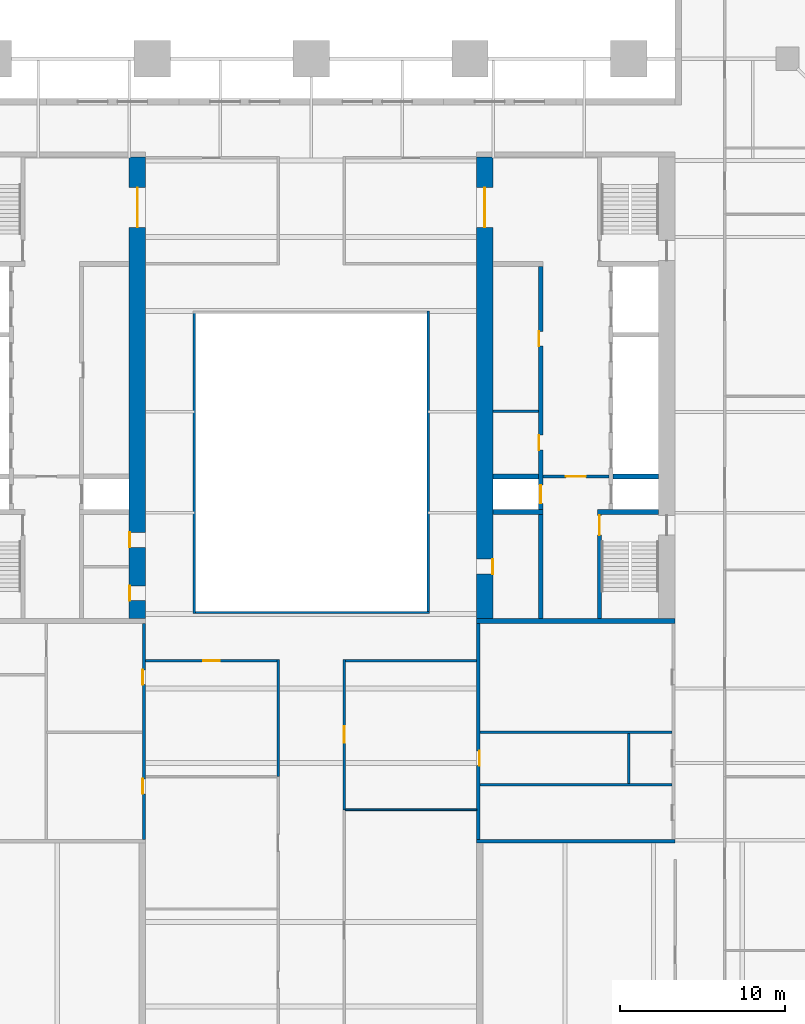
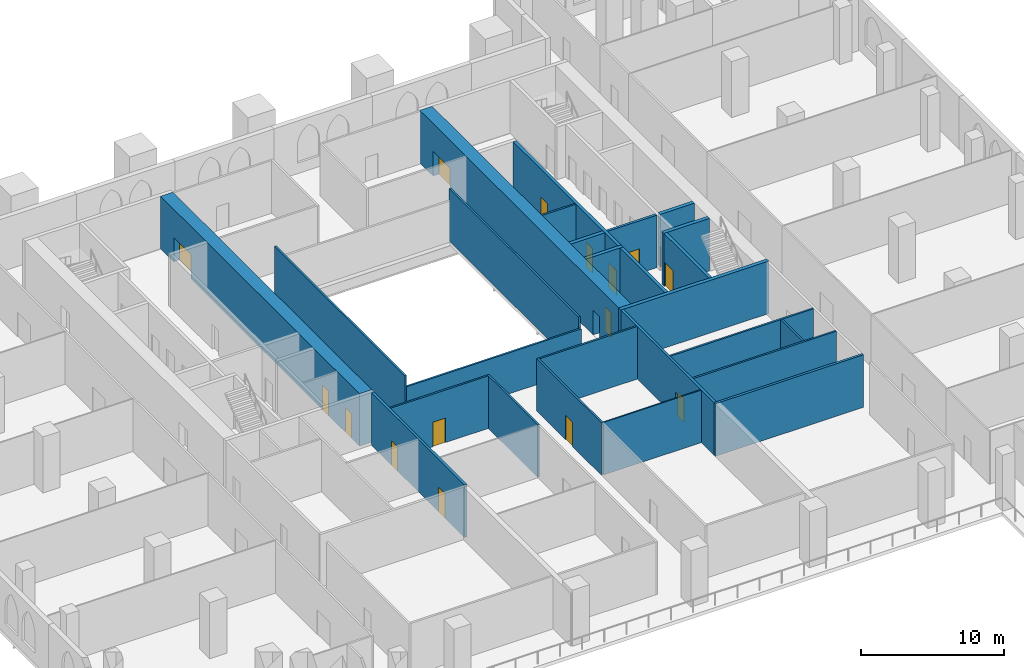
# One storey, part 11 of 19: 25 walls, 15 doors, 15 openings.
"""IFC4 building model written with IfcOpenShell, lengths in metres."""

from ifc_helpers import new_model, si_unit, direction, frame, frame_2d, origin, place, context, subcontext, project, spatial, rectangle, extrude, material, layer, layer_set, type_object, element, fill, save


model = new_model("IFC4")

# Units and contexts
model_context = context("Model", 3, precision=1e-05, world=origin(), true_north=direction((0.0, 1.0)))
body_context = subcontext(model_context, "Body", "Model", "MODEL_VIEW")
ifc_project = project(units=[si_unit("LENGTHUNIT", "METRE"), si_unit("AREAUNIT", "SQUARE_METRE"), si_unit("VOLUMEUNIT", "CUBIC_METRE"), si_unit("PLANEANGLEUNIT", "RADIAN"), si_unit("MASSUNIT", "GRAM", prefix="KILO")], contexts=[model_context])

# Site, building, storey
site_placement = place(None, origin())
site = spatial("IfcSite", under=ifc_project, at=site_placement, CompositionType="ELEMENT")
building_placement = place(site_placement, origin())
building = spatial("IfcBuilding", under=site, at=building_placement, Name="Ogive Exchange Tower", CompositionType="ELEMENT")
storey_placement = place(building_placement, frame((0.0, 0.0, 24.0)))
storey = spatial("IfcBuildingStorey", under=building, at=storey_placement, Name="L04", CompositionType="ELEMENT", Elevation=24.0)

# Walls
ifc_material_1 = material(Name="Gypsum board partition")
ifc_layer_1 = layer(ifc_material_1, 0.14990234375)
ifc_layer_set_1 = layer_set([ifc_layer_1], Name="Core room partition 150 gypsum")
wall_type_1 = type_object("IfcWallType", Name="Core room partition 150 gypsum", PredefinedType="PARTITIONING", material=ifc_layer_set_1)
wall_1_placement = place(storey_placement, frame((11.0, 10.10009765625, 0.0), z_axis=(0.0, 0.0, 1.0), x_axis=(1.0, 0.0, 0.0)))
element("IfcWall", 1, at=wall_1_placement, inside=storey, type_object=wall_type_1, Name="E row B bay partition 1-1", PredefinedType="PARTITIONING", context=body_context, shape_type="SweptSolid", body=[
    extrude(rectangle(XDim=2.75, YDim=0.14990234375, at=frame_2d((1.375, 0.0))), origin(), (0.0, 0.0, 1.0), 4.5),
])
for number, where, z_axis, x_axis, name in (
    (2, (10.199951171875, -9.300048828125, 0.0), (0.0, 0.0, 1.0), (1.0, 0.0, 0.0), "E annex S cross wall"),
    (3, (10.199951171875, -12.47509765625, 0.0), (0.0, 0.0, 1.0), (1.0, 0.0, 0.0), "E annex S wc strip wall 00"),
):
    element("IfcWall", number, at=place(storey_placement, frame(where, z_axis=z_axis, x_axis=x_axis)), inside=storey, type_object=wall_type_1, Name=name, PredefinedType="PARTITIONING", context=body_context, shape_type="SweptSolid", body=[
        extrude(rectangle(XDim=11.60009765625, YDim=0.14990234375, at=frame_2d((5.800048828125, 0.0))), origin(), (0.0, 0.0, 1.0), 4.5),
    ])
wall_2_placement = place(storey_placement, frame((19.199951171875, -12.39990234375, 0.0), z_axis=(0.0, 0.0, 1.0), x_axis=(0.0, 1.0, 0.0)))
element("IfcWall", 4, at=wall_2_placement, inside=storey, type_object=wall_type_1, Name="E annex S wc partition 00", PredefinedType="PARTITIONING", context=body_context, shape_type="SweptSolid", body=[
    extrude(rectangle(XDim=3.02490234375, YDim=0.14990234375, at=frame_2d((1.512451171875, 0.0))), origin(), (0.0, 0.0, 1.0), 4.5),
])

# Wall, opening, door
ifc_material_2 = material(Name="Fire partition EI 60 150")
ifc_layer_2 = layer(ifc_material_2, 0.14990234375)
ifc_layer_set_2 = layer_set([ifc_layer_2], Name="Fire partition EI 60 150")
wall_type_2 = type_object("IfcWallType", Name="Fire partition EI 60 150", PredefinedType="PARTITIONING", material=ifc_layer_set_2)
wall_3_placement = place(storey_placement, frame((-10.0, -5.0, 0.0), z_axis=(0.0, 0.0, 1.0), x_axis=(1.0, 0.0, 0.0)))
wall_3 = element("IfcWall", 5, at=wall_3_placement, inside=storey, type_object=wall_type_2, Name="L04-PWL-023", PredefinedType="PARTITIONING", context=body_context, shape_type="SweptSolid", body=[
    extrude(rectangle(XDim=7.925048828125, YDim=0.14990234375, at=frame_2d((3.96240234375, 0.0))), origin(), (0.0, 0.0, 1.0), 4.5),
])
opening_1_placement = place(wall_3_placement, frame((3.46240234375, 0.0, 0.0)))
opening_1 = element("IfcOpeningElement", 6, at=opening_1_placement, cuts=wall_3, Name="Opening L04-I22", PredefinedType="OPENING", context=body_context, shape_type="SweptSolid", body=[
    extrude(rectangle(XDim=1.0, YDim=2.10009765625, at=frame_2d((0.5, 1.050048828125))), frame((0.0, 0.0849609375, 0.0), z_axis=(0.0, -1.0, 0.0), x_axis=(1.0, 0.0, 0.0)), (0.0, 0.0, 1.0), 0.169921875),
])
ifc_material_3 = material(Name="Fire door FD 30S 1000 x 2100")
door_type_1 = type_object("IfcDoorType", Name="Fire door FD 30S 1000 x 2100", OperationType="NOTDEFINED", PredefinedType="DOOR", material=ifc_material_3)
door_1_placement = place(opening_1_placement, frame((1.0, 0.0, 0.0), z_axis=(0.0, 0.0, 1.0), x_axis=(-1.0, 0.0, 0.0)))
door_1 = element("IfcDoor", 7, at=door_1_placement, inside=storey, type_object=door_type_1, Name="L04-IDR-022", ObjectType="DT3", OperationType="SINGLE_SWING_RIGHT", OverallHeight=2.10009765625, OverallWidth=1.0, PredefinedType="DOOR", context=body_context, shape_type="SweptSolid", body=[
    extrude(rectangle(XDim=1.0, YDim=2.10009765625, at=frame_2d((0.5, 1.050048828125))), frame((0.0, 0.02490234375, 0.0), z_axis=(0.0, -1.0, 0.0), x_axis=(1.0, 0.0, 0.0)), (0.0, 0.0, 1.0), 0.050048828125),
])
fill(opening_1, door_1)

# Walls
wall_4_placement = place(storey_placement, frame((2.074951171875, -5.0, 0.0), z_axis=(0.0, 0.0, 1.0), x_axis=(1.0, 0.0, 0.0)))
element("IfcWall", 8, at=wall_4_placement, inside=storey, type_object=wall_type_2, Name="L04-PWL-024", PredefinedType="PARTITIONING", context=body_context, shape_type="SweptSolid", body=[
    extrude(rectangle(XDim=7.925048828125, YDim=0.14990234375, at=frame_2d((3.96240234375, 0.0))), origin(), (0.0, 0.0, 1.0), 4.5),
])
wall_5_placement = place(storey_placement, frame((-2.0, -12.0, 0.0), z_axis=(0.0, 0.0, 1.0), x_axis=(0.0, 1.0, 0.0)))
element("IfcWall", 9, at=wall_5_placement, inside=storey, type_object=wall_type_2, Name="L04-PWL-053", PredefinedType="PARTITIONING", context=body_context, shape_type="SweptSolid", body=[
    extrude(rectangle(XDim=7.074951171875, YDim=0.14990234375, at=frame_2d((3.53759765625, 0.0))), origin(), (0.0, 0.0, 1.0), 4.5),
])

# Wall, opening, door
wall_6_placement = place(storey_placement, frame((2.0, -14.0, 0.0), z_axis=(0.0, 0.0, 1.0), x_axis=(0.0, 1.0, 0.0)))
wall_6 = element("IfcWall", 10, at=wall_6_placement, inside=storey, type_object=wall_type_2, Name="L04-PWL-056", PredefinedType="PARTITIONING", context=body_context, shape_type="SweptSolid", body=[
    extrude(rectangle(XDim=9.074951171875, YDim=0.14990234375, at=frame_2d((4.53759765625, 0.0))), origin(), (0.0, 0.0, 1.0), 4.5),
])
opening_2_placement = place(wall_6_placement, frame((4.03759765625, 0.0, 0.0)))
opening_2 = element("IfcOpeningElement", 11, at=opening_2_placement, cuts=wall_6, Name="Opening L04-I24", PredefinedType="OPENING", context=body_context, shape_type="SweptSolid", body=[
    extrude(rectangle(XDim=1.0, YDim=2.10009765625, at=frame_2d((0.5, 1.050048828125))), frame((0.0, 0.0849609375, 0.0), z_axis=(0.0, -1.0, 0.0), x_axis=(1.0, 0.0, 0.0)), (0.0, 0.0, 1.0), 0.169921875),
])
door_2_placement = place(opening_2_placement, frame((1.0, 0.0, 0.0), z_axis=(0.0, 0.0, 1.0), x_axis=(-1.0, 0.0, 0.0)))
door_2 = element("IfcDoor", 12, at=door_2_placement, inside=storey, type_object=door_type_1, Name="L04-IDR-024", ObjectType="DT3", OperationType="SINGLE_SWING_LEFT", OverallHeight=2.10009765625, OverallWidth=1.0, PredefinedType="DOOR", context=body_context, shape_type="SweptSolid", body=[
    extrude(rectangle(XDim=1.0, YDim=2.10009765625, at=frame_2d((0.5, 1.050048828125))), frame((0.0, 0.02490234375, 0.0), z_axis=(0.0, -1.0, 0.0), x_axis=(1.0, 0.0, 0.0)), (0.0, 0.0, 1.0), 0.050048828125),
])
fill(opening_2, door_2)

# Walls
ifc_material_4 = material(Name="Fire-resisting glass in steel frame", Category="steel")
ifc_layer_3 = layer(ifc_material_4, 0.14990234375)
ifc_layer_set_3 = layer_set([ifc_layer_3], Name="Fire-rated glazed wall 150")
wall_type_3 = type_object("IfcWallType", Name="Fire-rated glazed wall 150", PredefinedType="STANDARD", material=ifc_layer_set_3)
wall_7_placement = place(storey_placement, frame((-7.074951171875, -2.14990234375, 0.0), z_axis=(0.0, 0.0, 1.0), x_axis=(0.0, 1.0, 0.0)))
element("IfcWall", 13, at=wall_7_placement, inside=storey, type_object=wall_type_3, Name="Nave enclosure wall 1", PredefinedType="STANDARD", context=body_context, shape_type="SweptSolid", body=[
    extrude(rectangle(XDim=18.2998046875, YDim=0.14990234375, at=frame_2d((9.14990234375, 0.0))), origin(), (0.0, 0.0, 1.0), 4.5),
])
wall_8_placement = place(storey_placement, frame((7.074951171875, 16.14990234375, 0.0), z_axis=(0.0, 0.0, 1.0), x_axis=(0.0, -1.0, 0.0)))
element("IfcWall", 14, at=wall_8_placement, inside=storey, type_object=wall_type_3, Name="Nave enclosure wall 3", PredefinedType="STANDARD", context=body_context, shape_type="SweptSolid", body=[
    extrude(rectangle(XDim=18.14990234375, YDim=0.14990234375, at=frame_2d((9.074951171875, 0.0))), origin(), (0.0, 0.0, 1.0), 4.5),
])
wall_9_placement = place(storey_placement, frame((7.14990234375, -2.074951171875, 0.0), z_axis=(0.0, 0.0, 1.0), x_axis=(-1.0, 0.0, 0.0)))
element("IfcWall", 15, at=wall_9_placement, inside=storey, type_object=wall_type_3, Name="Nave enclosure wall 4", PredefinedType="STANDARD", context=body_context, shape_type="SweptSolid", body=[
    extrude(rectangle(XDim=14.14990234375, YDim=0.14990234375, at=frame_2d((7.074951171875, 0.0))), origin(), (0.0, 0.0, 1.0), 3.52001953125),
])
ifc_material_5 = material(Name="Partition 100 gypsum")
ifc_layer_4 = layer(ifc_material_5, 0.10009765625)
ifc_layer_set_4 = layer_set([ifc_layer_4], Name="Partition 100 gypsum")
wall_type_4 = type_object("IfcWallType", Name="Partition 100 gypsum", PredefinedType="PARTITIONING", material=ifc_layer_set_4)
wall_10_placement = place(storey_placement, frame((2.074951171875, -14.0, 0.0), z_axis=(0.0, 0.0, 1.0), x_axis=(1.0, 0.0, 0.0)))
element("IfcWall", 16, at=wall_10_placement, inside=storey, type_object=wall_type_4, Name="L04-PWL-019", PredefinedType="PARTITIONING", context=body_context, shape_type="SweptSolid", body=[
    extrude(rectangle(XDim=7.925048828125, YDim=0.10009765625, at=frame_2d((3.96240234375, 0.0))), origin(), (0.0, 0.0, 1.0), 4.5),
])

# Wall, openings, doors
ifc_material_6 = material(Name="Concrete C70/85", Category="concrete")
ifc_layer_5 = layer(ifc_material_6, 1.0)
ifc_layer_set_5 = layer_set([ifc_layer_5], Name="RC core wall 1000 C70/85")
wall_type_5 = type_object("IfcWallType", Name="RC core wall 1000 C70/85", PredefinedType="SHEAR", material=ifc_layer_set_5)
wall_11_placement = place(storey_placement, frame((-10.5, -2.449951171875, 0.0), z_axis=(0.0, 0.0, 1.0), x_axis=(0.0, 1.0, 0.0)))
wall_11 = element("IfcWall", 17, at=wall_11_placement, inside=storey, type_object=wall_type_5, Name="W inner wall", PredefinedType="SHEAR", context=body_context, shape_type="SweptSolid", body=[
    extrude(rectangle(XDim=27.89990234375, YDim=1.0, at=frame_2d((13.949951171875, 0.0))), origin(), (0.0, 0.0, 1.0), 4.5),
])
opening_3_placement = place(wall_11_placement, frame((23.64990234375, 0.0, 0.0)))
opening_3 = element("IfcOpeningElement", 18, at=opening_3_placement, cuts=wall_11, Name="Opening L04-C11", PredefinedType="OPENING", context=body_context, shape_type="SweptSolid", body=[
    extrude(rectangle(XDim=2.39990234375, YDim=2.10009765625, at=frame_2d((1.199951171875, 1.050048828125))), frame((0.0, 0.510009765625, 0.0), z_axis=(0.0, -1.0, 0.0), x_axis=(1.0, 0.0, 0.0)), (0.0, 0.0, 1.0), 1.02001953125),
])
opening_4_placement = place(wall_11_placement, frame((1.08740234375, 0.0, 0.0)))
opening_4 = element("IfcOpeningElement", 19, at=opening_4_placement, cuts=wall_11, Name="Opening L04-C16", PredefinedType="OPENING", context=body_context, shape_type="SweptSolid", body=[
    extrude(rectangle(XDim=0.89990234375, YDim=2.10009765625, at=frame_2d((0.449951171875, 1.050048828125))), frame((0.0, 0.510009765625, 0.0), z_axis=(0.0, -1.0, 0.0), x_axis=(1.0, 0.0, 0.0)), (0.0, 0.0, 1.0), 1.02001953125),
])
opening_5_placement = place(wall_11_placement, frame((4.3125, 0.0, 0.0)))
opening_5 = element("IfcOpeningElement", 20, at=opening_5_placement, cuts=wall_11, Name="Opening L04-C17", PredefinedType="OPENING", context=body_context, shape_type="SweptSolid", body=[
    extrude(rectangle(XDim=0.89990234375, YDim=2.10009765625, at=frame_2d((0.449951171875, 1.050048828125))), frame((0.0, 0.510009765625, 0.0), z_axis=(0.0, -1.0, 0.0), x_axis=(1.0, 0.0, 0.0)), (0.0, 0.0, 1.0), 1.02001953125),
])
ifc_material_7 = material(Name="Timber fire door", Category="wood")
door_type_2 = type_object("IfcDoorType", Name="Core room door FD30S 900 x 2100", OperationType="NOTDEFINED", PredefinedType="DOOR", material=ifc_material_7)
door_3_placement = place(opening_4_placement, origin())
door_3 = element("IfcDoor", 21, at=door_3_placement, inside=storey, type_object=door_type_2, Name="Core room door", ObjectType="CD6", OperationType="SINGLE_SWING_LEFT", OverallHeight=2.10009765625, OverallWidth=0.89990234375, PredefinedType="DOOR", context=body_context, shape_type="SweptSolid", body=[
    extrude(rectangle(XDim=0.89990234375, YDim=2.10009765625, at=frame_2d((0.449951171875, 1.050048828125))), frame((0.0, 0.5, 0.0), z_axis=(0.0, -1.0, 0.0), x_axis=(1.0, 0.0, 0.0)), (0.0, 0.0, 1.0), 0.050048828125),
])
fill(opening_4, door_3)
door_4_placement = place(opening_5_placement, origin())
door_4 = element("IfcDoor", 22, at=door_4_placement, inside=storey, type_object=door_type_2, Name="Core room door", ObjectType="CD6", OperationType="SINGLE_SWING_LEFT", OverallHeight=2.10009765625, OverallWidth=0.89990234375, PredefinedType="DOOR", context=body_context, shape_type="SweptSolid", body=[
    extrude(rectangle(XDim=0.89990234375, YDim=2.10009765625, at=frame_2d((0.449951171875, 1.050048828125))), frame((0.0, 0.5, 0.0), z_axis=(0.0, -1.0, 0.0), x_axis=(1.0, 0.0, 0.0)), (0.0, 0.0, 1.0), 0.050048828125),
])
fill(opening_5, door_4)
ifc_material_8 = material(Name="Glazed steel fire door", Category="steel")
door_type_3 = type_object("IfcDoorType", Name="Lift lobby double door FD60 2400 x 2100", OperationType="DOUBLE_DOOR_SINGLE_SWING", PredefinedType="DOOR", material=ifc_material_8)
door_5_placement = place(opening_3_placement, frame((2.39990234375, 0.0, 0.0), z_axis=(0.0, 0.0, 1.0), x_axis=(-1.0, 0.0, 0.0)))
door_5 = element("IfcDoor", 23, at=door_5_placement, inside=storey, type_object=door_type_3, Name="Lift lobby double door", ObjectType="CD4", OperationType="DOUBLE_DOOR_SINGLE_SWING", OverallHeight=2.10009765625, OverallWidth=2.39990234375, PredefinedType="DOOR", context=body_context, shape_type="SweptSolid", body=[
    extrude(rectangle(XDim=2.39990234375, YDim=2.10009765625, at=frame_2d((1.199951171875, 1.050048828125))), frame((0.0, 0.02490234375, 0.0), z_axis=(0.0, -1.0, 0.0), x_axis=(1.0, 0.0, 0.0)), (0.0, 0.0, 1.0), 0.050048828125),
])
fill(opening_3, door_5)

wall_12_placement = place(storey_placement, frame((10.5, -2.449951171875, 0.0), z_axis=(0.0, 0.0, 1.0), x_axis=(0.0, 1.0, 0.0)))
wall_12 = element("IfcWall", 24, at=wall_12_placement, inside=storey, type_object=wall_type_5, Name="E inner wall", PredefinedType="SHEAR", context=body_context, shape_type="SweptSolid", body=[
    extrude(rectangle(XDim=27.89990234375, YDim=1.0, at=frame_2d((13.949951171875, 0.0))), origin(), (0.0, 0.0, 1.0), 4.5),
])
opening_6_placement = place(wall_12_placement, frame((23.64990234375, 0.0, 0.0)))
opening_6 = element("IfcOpeningElement", 25, at=opening_6_placement, cuts=wall_12, Name="Opening L04-C34", PredefinedType="OPENING", context=body_context, shape_type="SweptSolid", body=[
    extrude(rectangle(XDim=2.39990234375, YDim=2.10009765625, at=frame_2d((1.199951171875, 1.050048828125))), frame((0.0, 0.510009765625, 0.0), z_axis=(0.0, -1.0, 0.0), x_axis=(1.0, 0.0, 0.0)), (0.0, 0.0, 1.0), 1.02001953125),
])
opening_7_placement = place(wall_12_placement, frame((2.699951171875, 0.0, 0.0)))
opening_7 = element("IfcOpeningElement", 26, at=opening_7_placement, cuts=wall_12, Name="Opening L04-C39", PredefinedType="OPENING", context=body_context, shape_type="SweptSolid", body=[
    extrude(rectangle(XDim=0.89990234375, YDim=2.10009765625, at=frame_2d((0.449951171875, 1.050048828125))), frame((0.0, 0.510009765625, 0.0), z_axis=(0.0, -1.0, 0.0), x_axis=(1.0, 0.0, 0.0)), (0.0, 0.0, 1.0), 1.02001953125),
])
door_6_placement = place(opening_7_placement, frame((0.89990234375, -0.9501953125, 0.0), z_axis=(0.0, 0.0, 1.0), x_axis=(-1.0, 0.0, 0.0)))
door_6 = element("IfcDoor", 27, at=door_6_placement, inside=storey, type_object=door_type_2, Name="Core room door", ObjectType="CD6", OperationType="SINGLE_SWING_LEFT", OverallHeight=2.10009765625, OverallWidth=0.89990234375, PredefinedType="DOOR", context=body_context, shape_type="SweptSolid", body=[
    extrude(rectangle(XDim=0.89990234375, YDim=2.10009765625, at=frame_2d((0.449951171875, 1.050048828125))), frame((0.0, -0.4501953125, 0.0), z_axis=(0.0, -1.0, 0.0), x_axis=(1.0, 0.0, 0.0)), (0.0, 0.0, 1.0), 0.050048828125),
])
fill(opening_7, door_6)
door_7_placement = place(opening_6_placement, origin())
door_7 = element("IfcDoor", 28, at=door_7_placement, inside=storey, type_object=door_type_3, Name="Lift lobby double door", ObjectType="CD4", OperationType="DOUBLE_DOOR_SINGLE_SWING", OverallHeight=2.10009765625, OverallWidth=2.39990234375, PredefinedType="DOOR", context=body_context, shape_type="SweptSolid", body=[
    extrude(rectangle(XDim=2.39990234375, YDim=2.10009765625, at=frame_2d((1.199951171875, 1.050048828125))), frame((0.0, 0.02490234375, 0.0), z_axis=(0.0, -1.0, 0.0), x_axis=(1.0, 0.0, 0.0)), (0.0, 0.0, 1.0), 0.050048828125),
])
fill(opening_6, door_7)

ifc_layer_6 = layer(ifc_material_6, 0.199951171875)
ifc_layer_set_6 = layer_set([ifc_layer_6], Name="RC core wall 200 C70/85")
wall_type_6 = type_object("IfcWallType", Name="RC core wall 200 C70/85", PredefinedType="SHEAR", material=ifc_layer_set_6)
wall_13_placement = place(storey_placement, frame((-10.10009765625, -15.800048828125, 0.0), z_axis=(0.0, 0.0, 1.0), x_axis=(0.0, 1.0, 0.0)))
wall_13 = element("IfcWall", 29, at=wall_13_placement, inside=storey, type_object=wall_type_6, Name="W annex S inner wall", PredefinedType="SHEAR", context=body_context, shape_type="SweptSolid", body=[
    extrude(rectangle(XDim=13.050048828125, YDim=0.199951171875, at=frame_2d((6.52490234375, 0.0))), origin(), (0.0, 0.0, 1.0), 4.5),
])
opening_8_placement = place(wall_13_placement, frame((2.762451171875, 0.0, 0.0)))
opening_8 = element("IfcOpeningElement", 30, at=opening_8_placement, cuts=wall_13, Name="Opening L04-C21", PredefinedType="OPENING", context=body_context, shape_type="SweptSolid", body=[
    extrude(rectangle(XDim=0.89990234375, YDim=2.10009765625, at=frame_2d((0.449951171875, 1.050048828125))), frame((0.0, 0.10986328125, 0.0), z_axis=(0.0, -1.0, 0.0), x_axis=(1.0, 0.0, 0.0)), (0.0, 0.0, 1.0), 0.219970703125),
])
opening_9_placement = place(wall_13_placement, frame((9.362548828125, 0.0, 0.0)))
opening_9 = element("IfcOpeningElement", 31, at=opening_9_placement, cuts=wall_13, Name="Opening L04-C22", PredefinedType="OPENING", context=body_context, shape_type="SweptSolid", body=[
    extrude(rectangle(XDim=0.89990234375, YDim=2.10009765625, at=frame_2d((0.449951171875, 1.050048828125))), frame((0.0, 0.10986328125, 0.0), z_axis=(0.0, -1.0, 0.0), x_axis=(1.0, 0.0, 0.0)), (0.0, 0.0, 1.0), 0.219970703125),
])
ifc_material_9 = material(Name="Steel fire door", Category="steel")
door_type_4 = type_object("IfcDoorType", Name="Riser door FD60 900 x 2100", OperationType="NOTDEFINED", PredefinedType="DOOR", material=ifc_material_9)
door_8_placement = place(opening_8_placement, origin())
door_8 = element("IfcDoor", 32, at=door_8_placement, inside=storey, type_object=door_type_4, Name="Riser door", ObjectType="CD2", OperationType="SINGLE_SWING_LEFT", OverallHeight=2.10009765625, OverallWidth=0.89990234375, PredefinedType="DOOR", context=body_context, shape_type="SweptSolid", body=[
    extrude(rectangle(XDim=0.89990234375, YDim=2.10009765625, at=frame_2d((0.449951171875, 1.050048828125))), frame((0.0, 0.10009765625, 0.0), z_axis=(0.0, -1.0, 0.0), x_axis=(1.0, 0.0, 0.0)), (0.0, 0.0, 1.0), 0.050048828125),
])
fill(opening_8, door_8)
door_9_placement = place(opening_9_placement, origin())
door_9 = element("IfcDoor", 33, at=door_9_placement, inside=storey, type_object=door_type_4, Name="Riser door", ObjectType="CD2", OperationType="SINGLE_SWING_LEFT", OverallHeight=2.10009765625, OverallWidth=0.89990234375, PredefinedType="DOOR", context=body_context, shape_type="SweptSolid", body=[
    extrude(rectangle(XDim=0.89990234375, YDim=2.10009765625, at=frame_2d((0.449951171875, 1.050048828125))), frame((0.0, 0.10009765625, 0.0), z_axis=(0.0, -1.0, 0.0), x_axis=(1.0, 0.0, 0.0)), (0.0, 0.0, 1.0), 0.050048828125),
])
fill(opening_9, door_9)

# Wall, opening, door
wall_14_placement = place(storey_placement, frame((14.0, 6.142822265625, 0.0), z_axis=(0.0, 0.0, 1.0), x_axis=(1.0, 0.0, 0.0)))
wall_14 = element("IfcWall", 34, at=wall_14_placement, inside=storey, type_object=wall_type_6, Name="E firefighting lobby wall", PredefinedType="SHEAR", context=body_context, shape_type="SweptSolid", body=[
    extrude(rectangle(XDim=4.0, YDim=0.199951171875, at=frame_2d((2.0, 0.0))), origin(), (0.0, 0.0, 1.0), 4.5),
])
opening_10_placement = place(wall_14_placement, frame((1.39990234375, 0.0, 0.0)))
opening_10 = element("IfcOpeningElement", 35, at=opening_10_placement, cuts=wall_14, Name="Opening L04-C33", PredefinedType="OPENING", context=body_context, shape_type="SweptSolid", body=[
    extrude(rectangle(XDim=1.199951171875, YDim=2.10009765625, at=frame_2d((0.60009765625, 1.050048828125))), frame((0.0, 0.10986328125, 0.0), z_axis=(0.0, -1.0, 0.0), x_axis=(1.0, 0.0, 0.0)), (0.0, 0.0, 1.0), 0.219970703125),
])
door_type_5 = type_object("IfcDoorType", Name="Firefighting lobby door FD60 1200 x 2100", OperationType="NOTDEFINED", PredefinedType="DOOR", material=ifc_material_9)
door_10_placement = place(opening_10_placement, frame((1.199951171875, 0.0, 0.0), z_axis=(0.0, 0.0, 1.0), x_axis=(-1.0, 0.0, 0.0)))
door_10 = element("IfcDoor", 36, at=door_10_placement, inside=storey, type_object=door_type_5, Name="Firefighting lobby door", ObjectType="CD3", OperationType="SINGLE_SWING_LEFT", OverallHeight=2.10009765625, OverallWidth=1.199951171875, PredefinedType="DOOR", context=body_context, shape_type="SweptSolid", body=[
    extrude(rectangle(XDim=1.199951171875, YDim=2.10009765625, at=frame_2d((0.60009765625, 1.050048828125))), frame((0.0, 0.02490234375, 0.0), z_axis=(0.0, -1.0, 0.0), x_axis=(1.0, 0.0, 0.0)), (0.0, 0.0, 1.0), 0.050048828125),
])
fill(opening_10, door_10)

wall_15_placement = place(storey_placement, frame((10.10009765625, -15.800048828125, 0.0), z_axis=(0.0, 0.0, 1.0), x_axis=(0.0, 1.0, 0.0)))
wall_15 = element("IfcWall", 37, at=wall_15_placement, inside=storey, type_object=wall_type_6, Name="E annex S inner wall", PredefinedType="SHEAR", context=body_context, shape_type="SweptSolid", body=[
    extrude(rectangle(XDim=13.050048828125, YDim=0.199951171875, at=frame_2d((6.52490234375, 0.0))), origin(), (0.0, 0.0, 1.0), 4.5),
])
opening_11_placement = place(wall_15_placement, frame((4.46240234375, 0.0, 0.0)))
opening_11 = element("IfcOpeningElement", 38, at=opening_11_placement, cuts=wall_15, Name="Opening L04-C42", PredefinedType="OPENING", context=body_context, shape_type="SweptSolid", body=[
    extrude(rectangle(XDim=0.89990234375, YDim=2.10009765625, at=frame_2d((0.449951171875, 1.050048828125))), frame((0.0, 0.10986328125, 0.0), z_axis=(0.0, -1.0, 0.0), x_axis=(1.0, 0.0, 0.0)), (0.0, 0.0, 1.0), 0.219970703125),
])
door_11_placement = place(opening_11_placement, frame((0.89990234375, -0.14990234375, 0.0), z_axis=(0.0, 0.0, 1.0), x_axis=(-1.0, 0.0, 0.0)))
door_11 = element("IfcDoor", 39, at=door_11_placement, inside=storey, type_object=door_type_4, Name="Riser door", ObjectType="CD2", OperationType="SINGLE_SWING_RIGHT", OverallHeight=2.10009765625, OverallWidth=0.89990234375, PredefinedType="DOOR", context=body_context, shape_type="SweptSolid", body=[
    extrude(rectangle(XDim=0.89990234375, YDim=2.10009765625, at=frame_2d((0.449951171875, 1.050048828125))), frame((0.0, -0.0498046875, 0.0), z_axis=(0.0, -1.0, 0.0), x_axis=(1.0, 0.0, 0.0)), (0.0, 0.0, 1.0), 0.050048828125),
])
fill(opening_11, door_11)

# Wall
wall_16_placement = place(storey_placement, frame((10.0, -15.89990234375, 0.0), z_axis=(0.0, 0.0, 1.0), x_axis=(1.0, 0.0, 0.0)))
element("IfcWall", 40, at=wall_16_placement, inside=storey, type_object=wall_type_6, Name="E annex S end wall", PredefinedType="SHEAR", context=body_context, shape_type="SweptSolid", body=[
    extrude(rectangle(XDim=12.0, YDim=0.199951171875, at=frame_2d((6.0, 0.0))), origin(), (0.0, 0.0, 1.0), 4.5),
])

# Wall, opening, door
ifc_layer_7 = layer(ifc_material_6, 0.25)
ifc_layer_set_7 = layer_set([ifc_layer_7], Name="RC core wall 250 C70/85")
wall_type_7 = type_object("IfcWallType", Name="RC core wall 250 C70/85", PredefinedType="SHEAR", material=ifc_layer_set_7)
wall_17_placement = place(storey_placement, frame((17.425048828125, -2.449951171875, 0.0), z_axis=(0.0, 0.0, 1.0), x_axis=(0.0, 1.0, 0.0)))
wall_17 = element("IfcWall", 41, at=wall_17_placement, inside=storey, type_object=wall_type_7, Name="E stair S front wall", PredefinedType="SHEAR", context=body_context, shape_type="SweptSolid", body=[
    extrude(rectangle(XDim=6.300048828125, YDim=0.25, at=frame_2d((3.14990234375, 0.0))), origin(), (0.0, 0.0, 1.0), 4.5),
])
opening_12_placement = place(wall_17_placement, frame((5.050048828125, 0.0, 0.0)))
opening_12 = element("IfcOpeningElement", 42, at=opening_12_placement, cuts=wall_17, Name="Opening L04-C35", PredefinedType="OPENING", context=body_context, shape_type="SweptSolid", body=[
    extrude(rectangle(XDim=1.199951171875, YDim=2.10009765625, at=frame_2d((0.60009765625, 1.050048828125))), frame((0.0, 0.135009765625, 0.0), z_axis=(0.0, -1.0, 0.0), x_axis=(1.0, 0.0, 0.0)), (0.0, 0.0, 1.0), 0.27001953125),
])
door_type_6 = type_object("IfcDoorType", Name="Stair door FD90 1200 x 2100", OperationType="NOTDEFINED", PredefinedType="DOOR", material=ifc_material_9)
door_12_placement = place(opening_12_placement, frame((1.199951171875, 0.0, 0.0), z_axis=(0.0, 0.0, 1.0), x_axis=(-1.0, 0.0, 0.0)))
door_12 = element("IfcDoor", 43, at=door_12_placement, inside=storey, type_object=door_type_6, Name="Stair door", ObjectType="CD5", OperationType="SINGLE_SWING_RIGHT", OverallHeight=2.10009765625, OverallWidth=1.199951171875, PredefinedType="DOOR", context=body_context, shape_type="SweptSolid", body=[
    extrude(rectangle(XDim=1.199951171875, YDim=2.10009765625, at=frame_2d((0.60009765625, 1.050048828125))), frame((0.0, 0.02490234375, 0.0), z_axis=(0.0, -1.0, 0.0), x_axis=(1.0, 0.0, 0.0)), (0.0, 0.0, 1.0), 0.050048828125),
])
fill(opening_12, door_12)

# Wall, openings, doors
wall_18_placement = place(storey_placement, frame((13.875, -2.449951171875, 0.0), z_axis=(0.0, 0.0, 1.0), x_axis=(0.0, 1.0, 0.0)))
wall_18 = element("IfcWall", 44, at=wall_18_placement, inside=storey, type_object=wall_type_7, Name="E row B front wall", PredefinedType="SHEAR", context=body_context, shape_type="SweptSolid", body=[
    extrude(rectangle(XDim=21.300048828125, YDim=0.25, at=frame_2d((10.64990234375, 0.0))), origin(), (0.0, 0.0, 1.0), 4.5),
])
opening_13_placement = place(wall_18_placement, frame((10.1962890625, 0.0, 0.0)))
opening_13 = element("IfcOpeningElement", 45, at=opening_13_placement, cuts=wall_18, Name="Opening L04-C30", PredefinedType="OPENING", context=body_context, shape_type="SweptSolid", body=[
    extrude(rectangle(XDim=0.89990234375, YDim=2.10009765625, at=frame_2d((0.449951171875, 1.050048828125))), frame((0.0, 0.135009765625, 0.0), z_axis=(0.0, -1.0, 0.0), x_axis=(1.0, 0.0, 0.0)), (0.0, 0.0, 1.0), 0.27001953125),
])
opening_14_placement = place(wall_18_placement, frame((16.47509765625, 0.0, 0.0)))
opening_14 = element("IfcOpeningElement", 46, at=opening_14_placement, cuts=wall_18, Name="Opening L04-C31", PredefinedType="OPENING", context=body_context, shape_type="SweptSolid", body=[
    extrude(rectangle(XDim=0.89990234375, YDim=2.10009765625, at=frame_2d((0.449951171875, 1.050048828125))), frame((0.0, 0.135009765625, 0.0), z_axis=(0.0, -1.0, 0.0), x_axis=(1.0, 0.0, 0.0)), (0.0, 0.0, 1.0), 0.27001953125),
])
opening_15_placement = place(wall_18_placement, frame((6.971435546875, 0.0, 0.0)))
opening_15 = element("IfcOpeningElement", 47, at=opening_15_placement, cuts=wall_18, Name="Opening L04-C32", PredefinedType="OPENING", context=body_context, shape_type="SweptSolid", body=[
    extrude(rectangle(XDim=1.10009765625, YDim=2.10009765625, at=frame_2d((0.550048828125, 1.050048828125))), frame((0.0, 0.135009765625, 0.0), z_axis=(0.0, -1.0, 0.0), x_axis=(1.0, 0.0, 0.0)), (0.0, 0.0, 1.0), 0.27001953125),
])
door_13_placement = place(opening_14_placement, origin())
door_13 = element("IfcDoor", 48, at=door_13_placement, inside=storey, type_object=door_type_2, Name="Core room door", ObjectType="CD6", OperationType="SINGLE_SWING_RIGHT", OverallHeight=2.10009765625, OverallWidth=0.89990234375, PredefinedType="DOOR", context=body_context, shape_type="SweptSolid", body=[
    extrude(rectangle(XDim=0.89990234375, YDim=2.10009765625, at=frame_2d((0.449951171875, 1.050048828125))), frame((0.0, 0.125, 0.0), z_axis=(0.0, -1.0, 0.0), x_axis=(1.0, 0.0, 0.0)), (0.0, 0.0, 1.0), 0.050048828125),
])
fill(opening_14, door_13)
ifc_material_10 = material(Name="Stainless steel", Category="steel")
door_type_7 = type_object("IfcDoorType", Name="Lift landing door FD90 1100 x 2100", OperationType="SLIDING_TO_LEFT", PredefinedType="DOOR", material=ifc_material_10)
door_14_placement = place(opening_15_placement, origin())
door_14 = element("IfcDoor", 49, at=door_14_placement, inside=storey, type_object=door_type_7, Name="Lift landing door SV2", ObjectType="LD", OperationType="SLIDING_TO_LEFT", OverallHeight=2.10009765625, OverallWidth=1.10009765625, PredefinedType="DOOR", context=body_context, shape_type="SweptSolid", body=[
    extrude(rectangle(XDim=1.10009765625, YDim=2.10009765625, at=frame_2d((0.550048828125, 1.050048828125))), frame((0.0, 0.02490234375, 0.0), z_axis=(0.0, -1.0, 0.0), x_axis=(1.0, 0.0, 0.0)), (0.0, 0.0, 1.0), 0.050048828125),
])
fill(opening_15, door_14)
door_15_placement = place(opening_13_placement, origin())
door_15 = element("IfcDoor", 50, at=door_15_placement, inside=storey, type_object=door_type_4, Name="Riser door", ObjectType="CD2", OperationType="SINGLE_SWING_RIGHT", OverallHeight=2.10009765625, OverallWidth=0.89990234375, PredefinedType="DOOR", context=body_context, shape_type="SweptSolid", body=[
    extrude(rectangle(XDim=0.89990234375, YDim=2.10009765625, at=frame_2d((0.449951171875, 1.050048828125))), frame((0.0, 0.125, 0.0), z_axis=(0.0, -1.0, 0.0), x_axis=(1.0, 0.0, 0.0)), (0.0, 0.0, 1.0), 0.050048828125),
])
fill(opening_13, door_15)

# Walls
ifc_layer_8 = layer(ifc_material_6, 0.300048828125)
ifc_layer_set_8 = layer_set([ifc_layer_8], Name="RC core wall 300 C70/85")
wall_type_8 = type_object("IfcWallType", Name="RC core wall 300 C70/85", PredefinedType="SHEAR", material=ifc_layer_set_8)
wall_19_placement = place(storey_placement, frame((10.0, -2.60009765625, 0.0), z_axis=(0.0, 0.0, 1.0), x_axis=(1.0, 0.0, 0.0)))
element("IfcWall", 51, at=wall_19_placement, inside=storey, type_object=wall_type_8, Name="E south end wall", PredefinedType="SHEAR", context=body_context, shape_type="SweptSolid", body=[
    extrude(rectangle(XDim=12.0, YDim=0.300048828125, at=frame_2d((6.0, 0.0))), origin(), (0.0, 0.0, 1.0), 4.5),
])
wall_20_placement = place(storey_placement, frame((17.300048828125, 4.0, 0.0), z_axis=(0.0, 0.0, 1.0), x_axis=(1.0, 0.0, 0.0)))
element("IfcWall", 52, at=wall_20_placement, inside=storey, type_object=wall_type_8, Name="E stair S north wall", PredefinedType="SHEAR", context=body_context, shape_type="SweptSolid", body=[
    extrude(rectangle(XDim=3.699951171875, YDim=0.300048828125, at=frame_2d((1.85009765625, 0.0))), origin(), (0.0, 0.0, 1.0), 4.5),
])
wall_21_placement = place(storey_placement, frame((18.25, 6.142822265625, 0.0), z_axis=(0.0, 0.0, 1.0), x_axis=(1.0, 0.0, 0.0)))
element("IfcWall", 53, at=wall_21_placement, inside=storey, type_object=wall_type_8, Name="E row A divider 1", PredefinedType="SHEAR", context=body_context, shape_type="SweptSolid", body=[
    extrude(rectangle(XDim=2.75, YDim=0.300048828125, at=frame_2d((1.375, 0.0))), origin(), (0.0, 0.0, 1.0), 4.5),
])
wall_22_placement = place(storey_placement, frame((11.0, 4.0, 0.0), z_axis=(0.0, 0.0, 1.0), x_axis=(1.0, 0.0, 0.0)))
element("IfcWall", 54, at=wall_22_placement, inside=storey, type_object=wall_type_8, Name="E row B divider 0", PredefinedType="SHEAR", context=body_context, shape_type="SweptSolid", body=[
    extrude(rectangle(XDim=3.0, YDim=0.300048828125, at=frame_2d((1.5, 0.0))), origin(), (0.0, 0.0, 1.0), 4.5),
])
wall_23_placement = place(storey_placement, frame((11.0, 6.142822265625, 0.0), z_axis=(0.0, 0.0, 1.0), x_axis=(1.0, 0.0, 0.0)))
element("IfcWall", 55, at=wall_23_placement, inside=storey, type_object=wall_type_8, Name="E row B divider 1", PredefinedType="SHEAR", context=body_context, shape_type="SweptSolid", body=[
    extrude(rectangle(XDim=2.75, YDim=0.300048828125, at=frame_2d((1.375, 0.0))), origin(), (0.0, 0.0, 1.0), 4.5),
])

save(model, "model.ifc")
